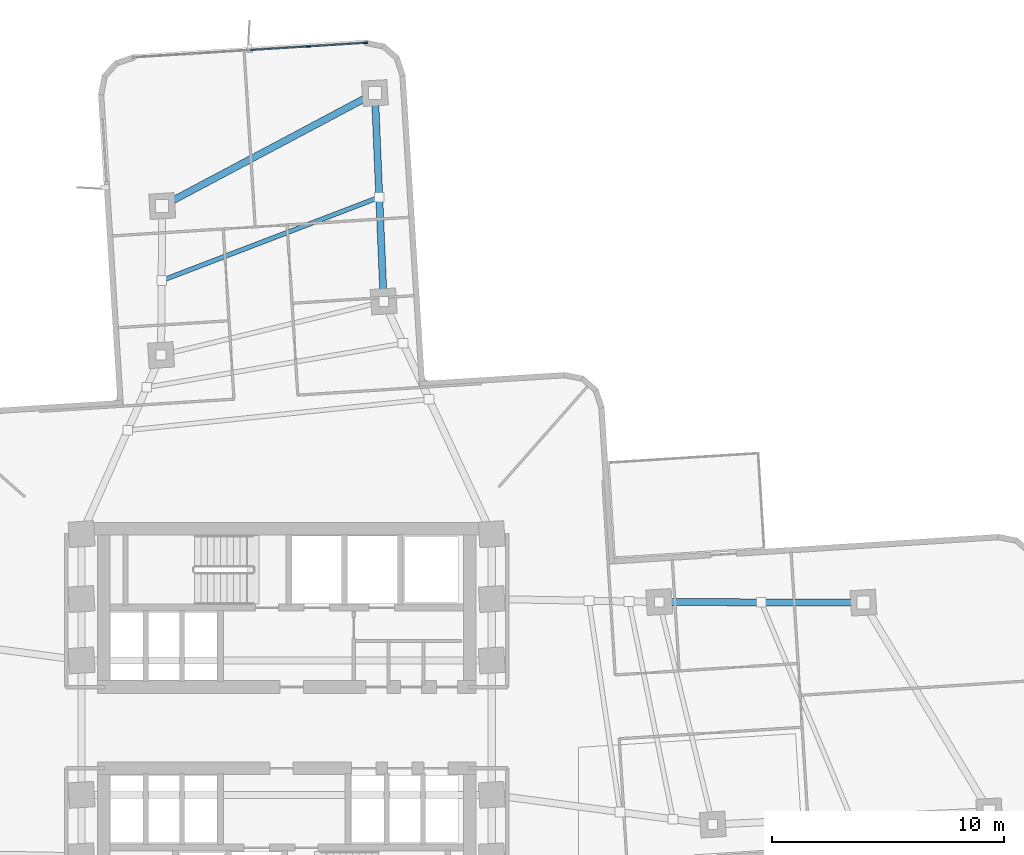
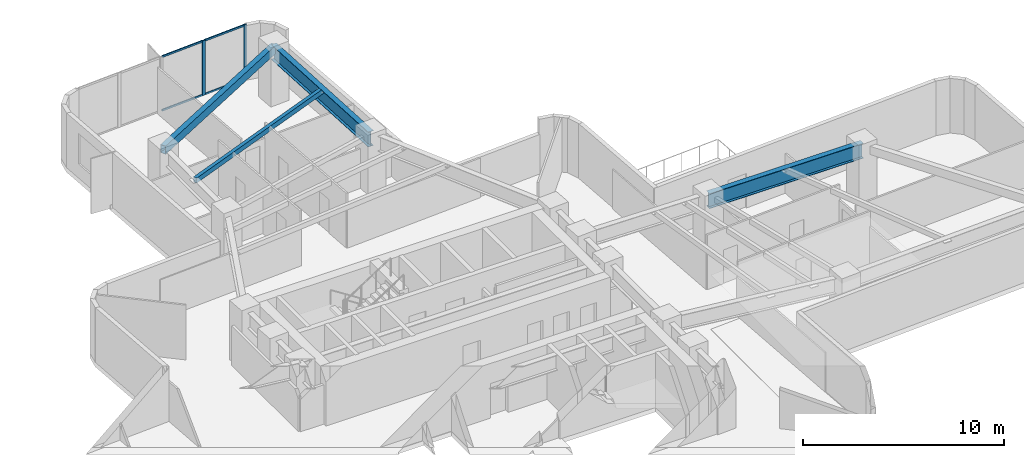
# One storey, part 6 of 16: 6 members, 4 beams, 1 element without a shape of its own.
"""IFC4 building model written with IfcOpenShell, lengths in metres."""

from ifc_helpers import new_model, si_unit, direction, frame, origin, origin_2d, place, context, subcontext, project, spatial, rectangle, hollow_rectangle, i_section, extrude, material, layer, layer_set, material_profile, profile_set, type_object, element, aggregate, save


model = new_model("IFC4")

# Units and contexts
model_context = context("Model", 3, precision=1e-05, world=origin(), true_north=direction((0.0, 1.0)))
body_context = subcontext(model_context, "Body", "Model", "MODEL_VIEW")
ifc_project = project(units=[si_unit("LENGTHUNIT", "METRE"), si_unit("AREAUNIT", "SQUARE_METRE"), si_unit("VOLUMEUNIT", "CUBIC_METRE"), si_unit("PLANEANGLEUNIT", "RADIAN"), si_unit("MASSUNIT", "GRAM", prefix="KILO")], contexts=[model_context])

# Site, building, storey
site_placement = place(None, origin())
site = spatial("IfcSite", under=ifc_project, at=site_placement, CompositionType="ELEMENT")
building_placement = place(site_placement, origin())
building = spatial("IfcBuilding", under=site, at=building_placement, Name="Solmarez Civic Tower", CompositionType="ELEMENT")
storey_placement = place(building_placement, frame((0.0, 0.0, 53.280029296875)))
storey = spatial("IfcBuildingStorey", under=building, at=storey_placement, Name="L13", CompositionType="ELEMENT", Elevation=53.280029296875)

# Beams
ifc_material_1 = material(Name="Steel S355", Category="steel")
ifc_material_profile_1 = material_profile(ifc_material_1, hollow_rectangle(XDim=0.199951171875, YDim=0.300048828125, WallThickness=0.011962890625, at=origin_2d()), Name="HSS300X200X12")
ifc_profile_set_1 = profile_set([ifc_material_profile_1], Name="Steel S355")
beam_type_1 = type_object("IfcBeamType", Name="BM-JS-HSS300X200", PredefinedType="JOIST", material=ifc_profile_set_1)
beam_1_placement = place(storey_placement, frame((3.9951171875, 22.886962890625, 3.169921875), z_axis=(-0.933878315551, -0.357590955903, 0.0), x_axis=(0.357590955903, -0.933878315551, 0.0)))
element("IfcBeam", 1, at=beam_1_placement, inside=storey, type_object=beam_type_1, Name="L13 Secondary Floor Joist JS-L13-NA-M2", PredefinedType="JOIST", context=body_context, shape_type="SweptSolid", body=[
    extrude(hollow_rectangle(XDim=0.199951171875, YDim=0.300048828125, WallThickness=0.011962890625, at=origin_2d()), origin(), (0.0, 0.0, 1.0), 10.05615234375),
])
ifc_material_profile_2 = material_profile(ifc_material_1, i_section(OverallWidth=0.303955078125, OverallDepth=0.910888671875, WebThickness=0.015869140625, FlangeThickness=0.02392578125, at=origin_2d()), Name="W36X150")
ifc_profile_set_2 = profile_set([ifc_material_profile_2], Name="Steel S355")
beam_type_2 = type_object("IfcBeamType", Name="BM-PR-W36X150", PredefinedType="BEAM", material=ifc_profile_set_2)
beam_2_placement = place(storey_placement, frame((16.075927734375, 5.4208984375, 2.864990234375), z_axis=(0.99999501223, -0.003158403928, 0.0), x_axis=(0.003158403928, 0.99999501223, 0.0)))
element("IfcBeam", 2, at=beam_2_placement, inside=storey, type_object=beam_type_2, Name="L13 Primary Floor Beam BM-L13-EA-R2B", PredefinedType="BEAM", context=body_context, shape_type="SweptSolid", body=[
    extrude(i_section(OverallWidth=0.303955078125, OverallDepth=0.910888671875, WebThickness=0.015869140625, FlangeThickness=0.02392578125, at=origin_2d()), origin(), (0.0, 0.0, 1.0), 8.81201171875),
])
beam_3_placement = place(storey_placement, frame((4.18408203125, 18.39111328125, 2.864990234375), z_axis=(-0.041911499832, 0.999121327058, 0.0), x_axis=(-0.999121327058, -0.041911499832, 0.0)))
element("IfcBeam", 3, at=beam_3_placement, inside=storey, type_object=beam_type_2, Name="L13 Primary Floor Beam BM-L13-NA-R2A", PredefinedType="BEAM", context=body_context, shape_type="SweptSolid", body=[
    extrude(i_section(OverallWidth=0.303955078125, OverallDepth=0.910888671875, WebThickness=0.015869140625, FlangeThickness=0.02392578125, at=origin_2d()), origin(), (0.0, 0.0, 1.0), 8.999755859375),
])
ifc_material_profile_3 = material_profile(ifc_material_1, hollow_rectangle(XDim=0.300048828125, YDim=0.5, WallThickness=0.02001953125, at=origin_2d()), Name="HSS500X300X20")
ifc_profile_set_3 = profile_set([ifc_material_profile_3], Name="Steel S355")
beam_type_3 = type_object("IfcBeamType", Name="BM-SP-HSS500X300", PredefinedType="SPANDREL", material=ifc_profile_set_3)
beam_4_placement = place(storey_placement, frame((3.806884765625, 27.383056640625, 3.070068359375), z_axis=(-0.883129404808, -0.469129464394, 0.0), x_axis=(0.469129464394, -0.883129404808, 0.0)))
element("IfcBeam", 4, at=beam_4_placement, inside=storey, type_object=beam_type_3, Name="L13 Perimeter Spandrel Beam BM-L13-NA-T2", PredefinedType="SPANDREL", context=body_context, shape_type="SweptSolid", body=[
    extrude(hollow_rectangle(XDim=0.300048828125, YDim=0.5, WallThickness=0.02001953125, at=origin_2d()), origin(), (0.0, 0.0, 1.0), 10.3935546875),
])

# Curtain wall, members
ifc_material_2 = material(Name="Bronze Anodised Aluminium EN AW-6063 T6", Category="aluminium")
ifc_layer = layer(ifc_material_2, 0.155029296875)
ifc_layer_set = layer_set([ifc_layer], Name="Bronze Anodised Aluminium EN AW-6063 T6")
curtain_wall_type = type_object("IfcCurtainWallType", Name="CW-SYS-6", PredefinedType="NOTDEFINED", material=ifc_layer_set)
curtain_wall_placement = place(storey_placement, origin())
curtain_wall = element("IfcCurtainWall", 5, at=curtain_wall_placement, inside=storey, type_object=curtain_wall_type, Name="L13 Stick-Built Curtain Wall 2", PredefinedType="NOTDEFINED")
ifc_material_profile_4 = material_profile(ifc_material_2, rectangle(XDim=0.070068359375, YDim=0.179931640625, at=origin_2d()), Name="CWM-70X180")
ifc_profile_set_4 = profile_set([ifc_material_profile_4], Name="Bronze Anodised Aluminium EN AW-6063 T6")
member_type_1 = type_object("IfcMemberType", Name="CWM-TYPE-2", PredefinedType="MULLION", material=ifc_profile_set_4)
member_1_placement = place(storey_placement, frame((0.92041015625, 29.396240234375, 0.0), z_axis=(0.0, 0.0, 1.0), x_axis=(-0.062883830323, 0.998020853431, 0.0)))
member_1 = element("IfcMember", 6, at=member_1_placement, type_object=member_type_1, Name="CWS6 mullion 4", PredefinedType="MULLION", context=body_context, shape_type="SweptSolid", body=[
    extrude(rectangle(XDim=0.070068359375, YDim=0.179931640625, at=origin_2d()), origin(), (0.0, 0.0, 1.0), 3.320068359375),
])
member_2_placement = place(storey_placement, frame((3.405029296875, 29.552734375, 0.0), z_axis=(0.0, 0.0, 1.0), x_axis=(-0.062883830323, 0.998020853431, 0.0)))
member_2 = element("IfcMember", 7, at=member_2_placement, type_object=member_type_1, Name="CWS6 mullion 5", PredefinedType="MULLION", context=body_context, shape_type="SweptSolid", body=[
    extrude(rectangle(XDim=0.070068359375, YDim=0.179931640625, at=origin_2d()), origin(), (0.0, 0.0, 1.0), 3.320068359375),
])
ifc_material_profile_5 = material_profile(ifc_material_2, rectangle(XDim=0.06005859375, YDim=0.110107421875, at=origin_2d()), Name="CWT-60X110")
ifc_profile_set_5 = profile_set([ifc_material_profile_5], Name="Bronze Anodised Aluminium EN AW-6063 T6")
member_type_2 = type_object("IfcMemberType", Name="CWT-TYPE-3", PredefinedType="USERDEFINED", material=ifc_profile_set_5)
member_3_placement = place(storey_placement, frame((-1.56396484375, 29.23974609375, 0.030029296875), z_axis=(0.998021880983, 0.062867520062, 0.0), x_axis=(-0.062867520062, 0.998021880983, 0.0)))
member_3 = element("IfcMember", 8, at=member_3_placement, type_object=member_type_2, Name="CWS6 transom 3.1", ObjectType="TRANSOM", PredefinedType="USERDEFINED", context=body_context, shape_type="SweptSolid", body=[
    extrude(rectangle(XDim=0.06005859375, YDim=0.110107421875, at=origin_2d()), origin(), (0.0, 0.0, 1.0), 2.454345703125),
])
member_4_placement = place(storey_placement, frame((-1.56396484375, 29.23974609375, 3.2900390625), z_axis=(0.998021880983, 0.062867520062, 0.0), x_axis=(-0.062867520062, 0.998021880983, 0.0)))
member_4 = element("IfcMember", 9, at=member_4_placement, type_object=member_type_2, Name="CWS6 transom 3.2", ObjectType="TRANSOM", PredefinedType="USERDEFINED", context=body_context, shape_type="SweptSolid", body=[
    extrude(rectangle(XDim=0.06005859375, YDim=0.110107421875, at=origin_2d()), origin(), (0.0, 0.0, 1.0), 2.454345703125),
])
member_5_placement = place(storey_placement, frame((0.955322265625, 29.3984375, 0.030029296875), z_axis=(0.998022229916, 0.062861980511, 0.0), x_axis=(-0.062861980511, 0.998022229916, 0.0)))
member_5 = element("IfcMember", 10, at=member_5_placement, type_object=member_type_2, Name="CWS6 transom 4.1", ObjectType="TRANSOM", PredefinedType="USERDEFINED", context=body_context, shape_type="SweptSolid", body=[
    extrude(rectangle(XDim=0.06005859375, YDim=0.110107421875, at=origin_2d()), origin(), (0.0, 0.0, 1.0), 2.419677734375),
])
member_6_placement = place(storey_placement, frame((0.955322265625, 29.3984375, 3.2900390625), z_axis=(0.998022229916, 0.062861980511, 0.0), x_axis=(-0.062861980511, 0.998022229916, 0.0)))
member_6 = element("IfcMember", 11, at=member_6_placement, type_object=member_type_2, Name="CWS6 transom 4.2", ObjectType="TRANSOM", PredefinedType="USERDEFINED", context=body_context, shape_type="SweptSolid", body=[
    extrude(rectangle(XDim=0.06005859375, YDim=0.110107421875, at=origin_2d()), origin(), (0.0, 0.0, 1.0), 2.419677734375),
])
aggregate(curtain_wall, [member_1, member_2, member_3, member_4, member_5, member_6])

save(model, "model.ifc")
